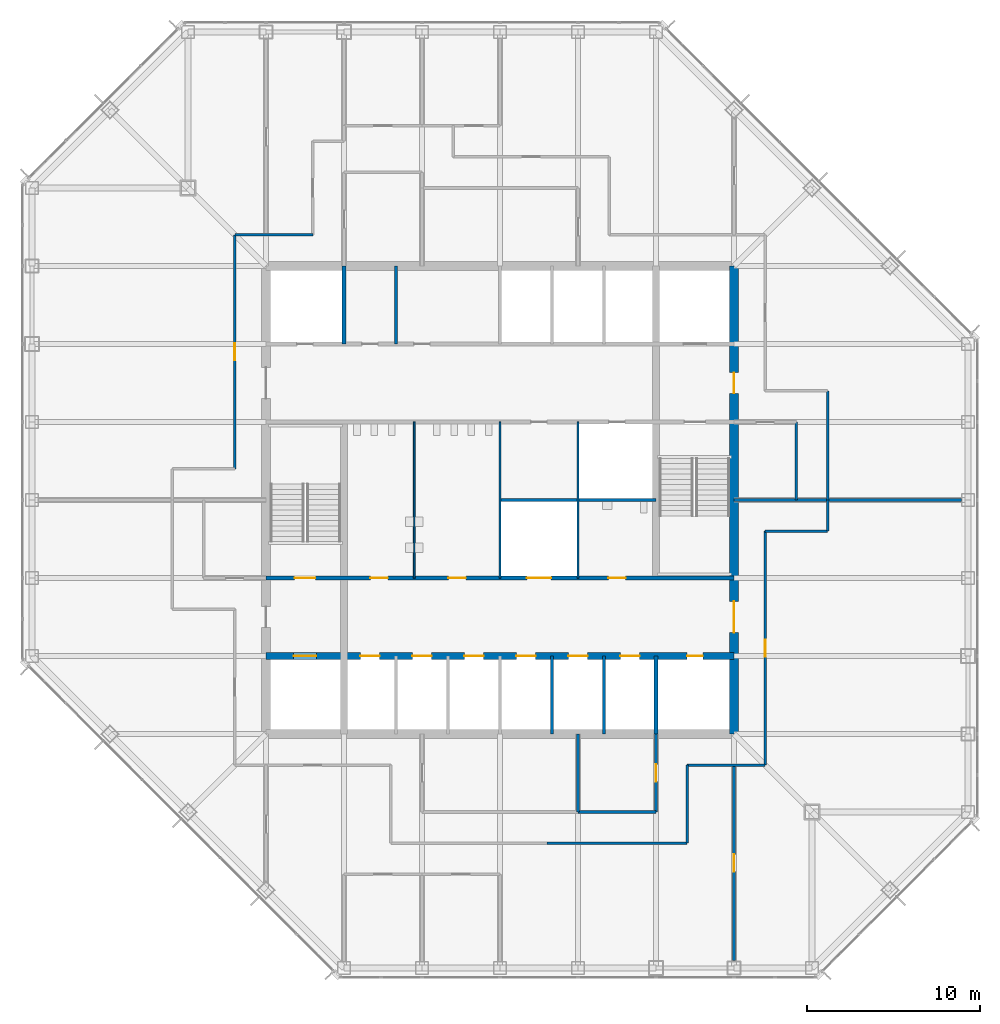
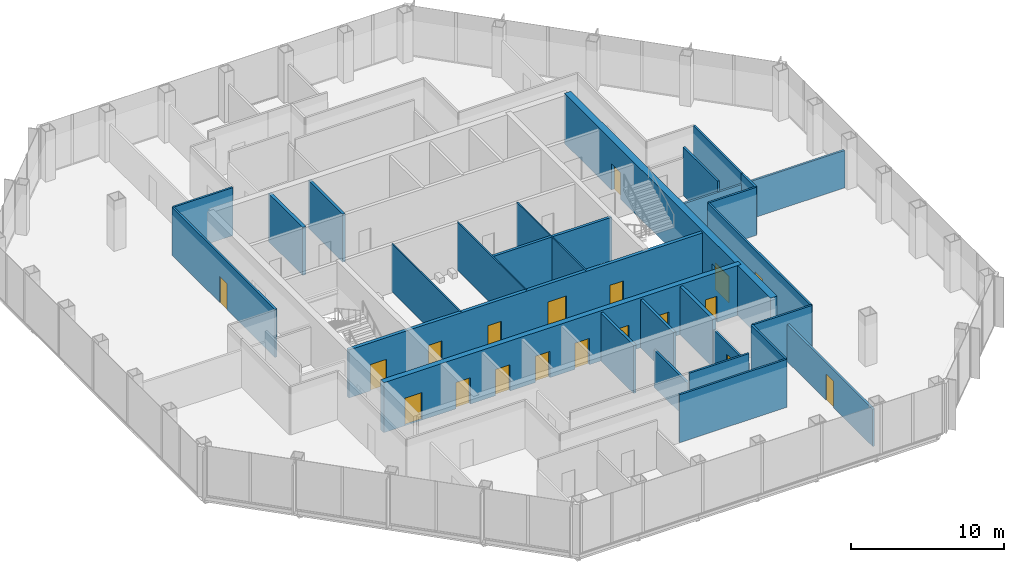
# One storey, part 9 of 13: 27 walls, 19 doors, 19 openings.
"""IFC4 building model written with IfcOpenShell, lengths in metres."""

from ifc_helpers import new_model, si_unit, direction, frame, frame_2d, origin, place, context, subcontext, project, spatial, rectangle, extrude, material, layer, layer_set, type_object, element, fill, save


model = new_model("IFC4")

# Units and contexts
model_context = context("Model", 3, precision=1e-05, world=origin(), true_north=direction((0.0, 1.0)))
body_context = subcontext(model_context, "Body", "Model", "MODEL_VIEW")
ifc_project = project(units=[si_unit("LENGTHUNIT", "METRE"), si_unit("AREAUNIT", "SQUARE_METRE"), si_unit("VOLUMEUNIT", "CUBIC_METRE"), si_unit("PLANEANGLEUNIT", "RADIAN"), si_unit("MASSUNIT", "GRAM", prefix="KILO")], contexts=[model_context])

# Site, building, storey
site_placement = place(None, origin())
site = spatial("IfcSite", under=ifc_project, at=site_placement, CompositionType="ELEMENT")
building_placement = place(site_placement, origin())
building = spatial("IfcBuilding", under=site, at=building_placement, Name="Corais Broadcast Tower", CompositionType="ELEMENT")
storey_placement = place(building_placement, frame((0.0, 0.0, 119.60009765625)))
storey = spatial("IfcBuildingStorey", under=building, at=storey_placement, Name="L26", CompositionType="ELEMENT", Elevation=119.60009765625)

# Walls
ifc_material_1 = material(Name="Concrete blockwork class A, grouted, two-hour", Category="masonry")
ifc_layer_1 = layer(ifc_material_1, 0.25)
ifc_layer_set_1 = layer_set([ifc_layer_1], Name="Concrete blockwork class A, grouted, two-hour")
wall_type_1 = type_object("IfcWallType", Name="Core lobby wall 250", PredefinedType="SOLIDWALL", material=ifc_layer_set_1)
for number, where, z_axis, x_axis, name in (
    (1, (18.0, 36.0, 0.0), (0.0, 0.0, 1.0), (0.0, 1.0, 0.0), "CL2 core shaft wall X18B L26"),
    (2, (36.0, 13.5, 0.0), (0.0, 0.0, 1.0), (0.0, 1.0, 0.0), "CL2 core shaft wall X36A L26"),
):
    element("IfcWall", number, at=place(storey_placement, frame(where, z_axis=z_axis, x_axis=x_axis)), inside=storey, type_object=wall_type_1, Name=name, PredefinedType="SOLIDWALL", context=body_context, shape_type="SweptSolid", body=[
        extrude(rectangle(XDim=4.5, YDim=0.25, at=frame_2d((2.25, 0.0))), origin(), (0.0, 0.0, 1.0), 3.83984375),
    ])

# Wall, openings, doors
wall_1_placement = place(storey_placement, frame((13.5, 22.5, 0.0), z_axis=(0.0, 0.0, 1.0), x_axis=(1.0, 0.0, 0.0)))
wall_1 = element("IfcWall", 3, at=wall_1_placement, inside=storey, type_object=wall_type_1, Name="CL2 core lobby wall Y225 L26", PredefinedType="SOLIDWALL", context=body_context, shape_type="SweptSolid", body=[
    extrude(rectangle(XDim=27.0, YDim=0.25, at=frame_2d((13.5, 0.0))), origin(), (0.0, 0.0, 1.0), 3.83984375),
])
opening_1_placement = place(wall_1_placement, frame((1.64990234375, 0.0, 0.0)))
opening_1 = element("IfcOpeningElement", 4, at=opening_1_placement, cuts=wall_1, Name="Opening FD1", PredefinedType="OPENING", context=body_context, shape_type="SweptSolid", body=[
    extrude(rectangle(XDim=1.199951171875, YDim=2.10009765625, at=frame_2d((0.60009765625, 1.050048828125))), frame((0.0, 0.135009765625, 0.0), z_axis=(0.0, -1.0, 0.0), x_axis=(1.0, 0.0, 0.0)), (0.0, 0.0, 1.0), 0.27001953125),
])
opening_2_placement = place(wall_1_placement, frame((6.02490234375, 0.0, 0.0)))
opening_2 = element("IfcOpeningElement", 5, at=opening_2_placement, cuts=wall_1, Name="Opening WD1", PredefinedType="OPENING", context=body_context, shape_type="SweptSolid", body=[
    extrude(rectangle(XDim=1.0, YDim=2.10009765625, at=frame_2d((0.5, 1.050048828125))), frame((0.0, 0.135009765625, 0.0), z_axis=(0.0, -1.0, 0.0), x_axis=(1.0, 0.0, 0.0)), (0.0, 0.0, 1.0), 0.27001953125),
])
opening_3_placement = place(wall_1_placement, frame((10.52490234375, 0.0, 0.0)))
opening_3 = element("IfcOpeningElement", 6, at=opening_3_placement, cuts=wall_1, Name="Opening WD1", PredefinedType="OPENING", context=body_context, shape_type="SweptSolid", body=[
    extrude(rectangle(XDim=1.0, YDim=2.10009765625, at=frame_2d((0.5, 1.050048828125))), frame((0.0, 0.135009765625, 0.0), z_axis=(0.0, -1.0, 0.0), x_axis=(1.0, 0.0, 0.0)), (0.0, 0.0, 1.0), 0.27001953125),
])
opening_4_placement = place(wall_1_placement, frame((19.75, 0.0, 0.0)))
opening_4 = element("IfcOpeningElement", 7, at=opening_4_placement, cuts=wall_1, Name="Opening WD1", PredefinedType="OPENING", context=body_context, shape_type="SweptSolid", body=[
    extrude(rectangle(XDim=1.0, YDim=2.10009765625, at=frame_2d((0.5, 1.050048828125))), frame((0.0, 0.135009765625, 0.0), z_axis=(0.0, -1.0, 0.0), x_axis=(1.0, 0.0, 0.0)), (0.0, 0.0, 1.0), 0.27001953125),
])
opening_5_placement = place(wall_1_placement, frame((15.050048828125, 0.0, 0.0)))
opening_5 = element("IfcOpeningElement", 8, at=opening_5_placement, cuts=wall_1, Name="Opening LD3", PredefinedType="OPENING", context=body_context, shape_type="SweptSolid", body=[
    extrude(rectangle(XDim=1.39990234375, YDim=2.39990234375, at=frame_2d((0.699951171875, 1.199951171875))), frame((0.0, 0.135009765625, 0.0), z_axis=(0.0, -1.0, 0.0), x_axis=(1.0, 0.0, 0.0)), (0.0, 0.0, 1.0), 0.27001953125),
])
ifc_material_2 = material(Name="Steel fire door", Category="steel")
door_type_1 = type_object("IfcDoorType", Name="Fire door 1200x2100", OperationType="SINGLE_SWING_LEFT", PredefinedType="DOOR", material=ifc_material_2)
door_1_placement = place(opening_1_placement, origin())
door_1 = element("IfcDoor", 9, at=door_1_placement, inside=storey, type_object=door_type_1, Name="FD1 stair A door L26", OperationType="SINGLE_SWING_LEFT", OverallHeight=2.10009765625, OverallWidth=1.199951171875, PredefinedType="DOOR", context=body_context, shape_type="SweptSolid", body=[
    extrude(rectangle(XDim=1.199951171875, YDim=2.10009765625, at=frame_2d((0.60009765625, 1.050048828125))), frame((0.0, 0.02490234375, 0.0), z_axis=(0.0, -1.0, 0.0), x_axis=(1.0, 0.0, 0.0)), (0.0, 0.0, 1.0), 0.050048828125),
])
fill(opening_1, door_1)
ifc_material_3 = material(Name="Stainless steel lift door", Category="steel")
door_type_2 = type_object("IfcDoorType", Name="Service lift landing door 1400x2400", OperationType="SLIDING_TO_LEFT", PredefinedType="DOOR", material=ifc_material_3)
door_2_placement = place(opening_5_placement, origin())
door_2 = element("IfcDoor", 10, at=door_2_placement, inside=storey, type_object=door_type_2, Name="LD3 SL1 landing door L26", OperationType="SLIDING_TO_LEFT", OverallHeight=2.39990234375, OverallWidth=1.39990234375, PredefinedType="DOOR", context=body_context, shape_type="SweptSolid", body=[
    extrude(rectangle(XDim=1.39990234375, YDim=2.39990234375, at=frame_2d((0.699951171875, 1.199951171875))), frame((0.0, 0.02490234375, 0.0), z_axis=(0.0, -1.0, 0.0), x_axis=(1.0, 0.0, 0.0)), (0.0, 0.0, 1.0), 0.050048828125),
])
fill(opening_5, door_2)
ifc_material_4 = material(Name="Timber door", Category="wood")
door_type_3 = type_object("IfcDoorType", Name="Toilet door 1000x2100", OperationType="SINGLE_SWING_LEFT", PredefinedType="DOOR", material=ifc_material_4)
door_3_placement = place(opening_2_placement, origin())
door_3 = element("IfcDoor", 11, at=door_3_placement, inside=storey, type_object=door_type_3, Name="WD1 WC male door L26", OperationType="SINGLE_SWING_LEFT", OverallHeight=2.10009765625, OverallWidth=1.0, PredefinedType="DOOR", context=body_context, shape_type="SweptSolid", body=[
    extrude(rectangle(XDim=1.0, YDim=2.10009765625, at=frame_2d((0.5, 1.050048828125))), frame((0.0, 0.02490234375, 0.0), z_axis=(0.0, -1.0, 0.0), x_axis=(1.0, 0.0, 0.0)), (0.0, 0.0, 1.0), 0.050048828125),
])
fill(opening_2, door_3)
door_4_placement = place(opening_3_placement, origin())
door_4 = element("IfcDoor", 12, at=door_4_placement, inside=storey, type_object=door_type_3, Name="WD1 WC female door L26", OperationType="SINGLE_SWING_LEFT", OverallHeight=2.10009765625, OverallWidth=1.0, PredefinedType="DOOR", context=body_context, shape_type="SweptSolid", body=[
    extrude(rectangle(XDim=1.0, YDim=2.10009765625, at=frame_2d((0.5, 1.050048828125))), frame((0.0, 0.02490234375, 0.0), z_axis=(0.0, -1.0, 0.0), x_axis=(1.0, 0.0, 0.0)), (0.0, 0.0, 1.0), 0.050048828125),
])
fill(opening_3, door_4)
door_5_placement = place(opening_4_placement, origin())
door_5 = element("IfcDoor", 13, at=door_5_placement, inside=storey, type_object=door_type_3, Name="WD1 accessible WC door L26", OperationType="SINGLE_SWING_RIGHT", OverallHeight=2.10009765625, OverallWidth=1.0, PredefinedType="DOOR", context=body_context, shape_type="SweptSolid", body=[
    extrude(rectangle(XDim=1.0, YDim=2.10009765625, at=frame_2d((0.5, 1.050048828125))), frame((0.0, 0.02490234375, 0.0), z_axis=(0.0, -1.0, 0.0), x_axis=(1.0, 0.0, 0.0)), (0.0, 0.0, 1.0), 0.050048828125),
])
fill(opening_4, door_5)

ifc_material_5 = material(Name="Concrete C50/60", Category="concrete")
ifc_layer_2 = layer(ifc_material_5, 0.39990234375)
ifc_layer_set_2 = layer_set([ifc_layer_2], Name="Concrete C50/60")
wall_type_2 = type_object("IfcWallType", Name="Core wall 400", PredefinedType="SHEAR", material=ifc_layer_set_2)
wall_2_placement = place(storey_placement, frame((13.5, 18.0, 0.0), z_axis=(0.0, 0.0, 1.0), x_axis=(1.0, 0.0, 0.0)))
wall_2 = element("IfcWall", 14, at=wall_2_placement, inside=storey, type_object=wall_type_2, Name="CR400 core wall Y18 L26", PredefinedType="SHEAR", context=body_context, shape_type="SweptSolid", body=[
    extrude(rectangle(XDim=27.0, YDim=0.39990234375, at=frame_2d((13.5, 0.0))), origin(), (0.0, 0.0, 1.0), 4.0),
])
opening_6_placement = place(wall_2_placement, frame((24.300048828125, 0.0, 0.0)))
opening_6 = element("IfcOpeningElement", 15, at=opening_6_placement, cuts=wall_2, Name="Opening RD1", PredefinedType="OPENING", context=body_context, shape_type="SweptSolid", body=[
    extrude(rectangle(XDim=0.89990234375, YDim=2.10009765625, at=frame_2d((0.449951171875, 1.050048828125))), frame((0.0, 0.2099609375, 0.0), z_axis=(0.0, -1.0, 0.0), x_axis=(1.0, 0.0, 0.0)), (0.0, 0.0, 1.0), 0.419921875),
])
opening_7_placement = place(wall_2_placement, frame((5.449951171875, 0.0, 0.0)))
opening_7 = element("IfcOpeningElement", 16, at=opening_7_placement, cuts=wall_2, Name="Opening LD1", PredefinedType="OPENING", context=body_context, shape_type="SweptSolid", body=[
    extrude(rectangle(XDim=1.10009765625, YDim=2.10009765625, at=frame_2d((0.550048828125, 1.050048828125))), frame((0.0, 0.2099609375, 0.0), z_axis=(0.0, -1.0, 0.0), x_axis=(1.0, 0.0, 0.0)), (0.0, 0.0, 1.0), 0.419921875),
])
opening_8_placement = place(wall_2_placement, frame((8.449951171875, 0.0, 0.0)))
opening_8 = element("IfcOpeningElement", 17, at=opening_8_placement, cuts=wall_2, Name="Opening LD1", PredefinedType="OPENING", context=body_context, shape_type="SweptSolid", body=[
    extrude(rectangle(XDim=1.10009765625, YDim=2.10009765625, at=frame_2d((0.550048828125, 1.050048828125))), frame((0.0, 0.2099609375, 0.0), z_axis=(0.0, -1.0, 0.0), x_axis=(1.0, 0.0, 0.0)), (0.0, 0.0, 1.0), 0.419921875),
])
opening_9_placement = place(wall_2_placement, frame((11.449951171875, 0.0, 0.0)))
opening_9 = element("IfcOpeningElement", 18, at=opening_9_placement, cuts=wall_2, Name="Opening LD1", PredefinedType="OPENING", context=body_context, shape_type="SweptSolid", body=[
    extrude(rectangle(XDim=1.10009765625, YDim=2.10009765625, at=frame_2d((0.550048828125, 1.050048828125))), frame((0.0, 0.2099609375, 0.0), z_axis=(0.0, -1.0, 0.0), x_axis=(1.0, 0.0, 0.0)), (0.0, 0.0, 1.0), 0.419921875),
])
opening_10_placement = place(wall_2_placement, frame((14.449951171875, 0.0, 0.0)))
opening_10 = element("IfcOpeningElement", 19, at=opening_10_placement, cuts=wall_2, Name="Opening LD1", PredefinedType="OPENING", context=body_context, shape_type="SweptSolid", body=[
    extrude(rectangle(XDim=1.10009765625, YDim=2.10009765625, at=frame_2d((0.550048828125, 1.050048828125))), frame((0.0, 0.2099609375, 0.0), z_axis=(0.0, -1.0, 0.0), x_axis=(1.0, 0.0, 0.0)), (0.0, 0.0, 1.0), 0.419921875),
])
opening_11_placement = place(wall_2_placement, frame((17.449951171875, 0.0, 0.0)))
opening_11 = element("IfcOpeningElement", 20, at=opening_11_placement, cuts=wall_2, Name="Opening LD1", PredefinedType="OPENING", context=body_context, shape_type="SweptSolid", body=[
    extrude(rectangle(XDim=1.10009765625, YDim=2.10009765625, at=frame_2d((0.550048828125, 1.050048828125))), frame((0.0, 0.2099609375, 0.0), z_axis=(0.0, -1.0, 0.0), x_axis=(1.0, 0.0, 0.0)), (0.0, 0.0, 1.0), 0.419921875),
])
opening_12_placement = place(wall_2_placement, frame((20.449951171875, 0.0, 0.0)))
opening_12 = element("IfcOpeningElement", 21, at=opening_12_placement, cuts=wall_2, Name="Opening LD1", PredefinedType="OPENING", context=body_context, shape_type="SweptSolid", body=[
    extrude(rectangle(XDim=1.10009765625, YDim=2.10009765625, at=frame_2d((0.550048828125, 1.050048828125))), frame((0.0, 0.2099609375, 0.0), z_axis=(0.0, -1.0, 0.0), x_axis=(1.0, 0.0, 0.0)), (0.0, 0.0, 1.0), 0.419921875),
])
opening_13_placement = place(wall_2_placement, frame((1.60009765625, 0.0, 0.0)))
opening_13 = element("IfcOpeningElement", 22, at=opening_13_placement, cuts=wall_2, Name="Opening LD2", PredefinedType="OPENING", context=body_context, shape_type="SweptSolid", body=[
    extrude(rectangle(XDim=1.300048828125, YDim=2.199951171875, at=frame_2d((0.64990234375, 1.10009765625))), frame((0.0, 0.2099609375, 0.0), z_axis=(0.0, -1.0, 0.0), x_axis=(1.0, 0.0, 0.0)), (0.0, 0.0, 1.0), 0.419921875),
])
ifc_material_6 = material(Name="Stainless steel lift door", Category="steel")
door_type_4 = type_object("IfcDoorType", Name="Lift landing door 1100x2100", OperationType="SLIDING_TO_LEFT", PredefinedType="DOOR", material=ifc_material_6)
door_6_placement = place(opening_7_placement, origin())
door_6 = element("IfcDoor", 23, at=door_6_placement, inside=storey, type_object=door_type_4, Name="LD1 PM1 landing door L26", OperationType="SLIDING_TO_LEFT", OverallHeight=2.10009765625, OverallWidth=1.10009765625, PredefinedType="DOOR", context=body_context, shape_type="SweptSolid", body=[
    extrude(rectangle(XDim=1.10009765625, YDim=2.10009765625, at=frame_2d((0.550048828125, 1.050048828125))), frame((0.0, 0.02490234375, 0.0), z_axis=(0.0, -1.0, 0.0), x_axis=(1.0, 0.0, 0.0)), (0.0, 0.0, 1.0), 0.050048828125),
])
fill(opening_7, door_6)
door_7_placement = place(opening_8_placement, origin())
door_7 = element("IfcDoor", 24, at=door_7_placement, inside=storey, type_object=door_type_4, Name="LD1 PM2 landing door L26", OperationType="SLIDING_TO_LEFT", OverallHeight=2.10009765625, OverallWidth=1.10009765625, PredefinedType="DOOR", context=body_context, shape_type="SweptSolid", body=[
    extrude(rectangle(XDim=1.10009765625, YDim=2.10009765625, at=frame_2d((0.550048828125, 1.050048828125))), frame((0.0, 0.02490234375, 0.0), z_axis=(0.0, -1.0, 0.0), x_axis=(1.0, 0.0, 0.0)), (0.0, 0.0, 1.0), 0.050048828125),
])
fill(opening_8, door_7)
door_8_placement = place(opening_9_placement, origin())
door_8 = element("IfcDoor", 25, at=door_8_placement, inside=storey, type_object=door_type_4, Name="LD1 PM3 landing door L26", OperationType="SLIDING_TO_LEFT", OverallHeight=2.10009765625, OverallWidth=1.10009765625, PredefinedType="DOOR", context=body_context, shape_type="SweptSolid", body=[
    extrude(rectangle(XDim=1.10009765625, YDim=2.10009765625, at=frame_2d((0.550048828125, 1.050048828125))), frame((0.0, 0.02490234375, 0.0), z_axis=(0.0, -1.0, 0.0), x_axis=(1.0, 0.0, 0.0)), (0.0, 0.0, 1.0), 0.050048828125),
])
fill(opening_9, door_8)
door_9_placement = place(opening_10_placement, origin())
door_9 = element("IfcDoor", 26, at=door_9_placement, inside=storey, type_object=door_type_4, Name="LD1 PM4 landing door L26", OperationType="SLIDING_TO_LEFT", OverallHeight=2.10009765625, OverallWidth=1.10009765625, PredefinedType="DOOR", context=body_context, shape_type="SweptSolid", body=[
    extrude(rectangle(XDim=1.10009765625, YDim=2.10009765625, at=frame_2d((0.550048828125, 1.050048828125))), frame((0.0, 0.02490234375, 0.0), z_axis=(0.0, -1.0, 0.0), x_axis=(1.0, 0.0, 0.0)), (0.0, 0.0, 1.0), 0.050048828125),
])
fill(opening_10, door_9)
door_10_placement = place(opening_11_placement, origin())
door_10 = element("IfcDoor", 27, at=door_10_placement, inside=storey, type_object=door_type_4, Name="LD1 PM5 landing door L26", OperationType="SLIDING_TO_LEFT", OverallHeight=2.10009765625, OverallWidth=1.10009765625, PredefinedType="DOOR", context=body_context, shape_type="SweptSolid", body=[
    extrude(rectangle(XDim=1.10009765625, YDim=2.10009765625, at=frame_2d((0.550048828125, 1.050048828125))), frame((0.0, 0.02490234375, 0.0), z_axis=(0.0, -1.0, 0.0), x_axis=(1.0, 0.0, 0.0)), (0.0, 0.0, 1.0), 0.050048828125),
])
fill(opening_11, door_10)
door_11_placement = place(opening_12_placement, origin())
door_11 = element("IfcDoor", 28, at=door_11_placement, inside=storey, type_object=door_type_4, Name="LD1 PM6 landing door L26", OperationType="SLIDING_TO_LEFT", OverallHeight=2.10009765625, OverallWidth=1.10009765625, PredefinedType="DOOR", context=body_context, shape_type="SweptSolid", body=[
    extrude(rectangle(XDim=1.10009765625, YDim=2.10009765625, at=frame_2d((0.550048828125, 1.050048828125))), frame((0.0, 0.02490234375, 0.0), z_axis=(0.0, -1.0, 0.0), x_axis=(1.0, 0.0, 0.0)), (0.0, 0.0, 1.0), 0.050048828125),
])
fill(opening_12, door_11)
ifc_material_7 = material(Name="Stainless steel lift door", Category="steel")
door_type_5 = type_object("IfcDoorType", Name="Lift landing door 1300x2200", OperationType="SLIDING_TO_LEFT", PredefinedType="DOOR", material=ifc_material_7)
door_12_placement = place(opening_13_placement, origin())
door_12 = element("IfcDoor", 29, at=door_12_placement, inside=storey, type_object=door_type_5, Name="LD2 FL1 landing door L26", OperationType="SLIDING_TO_LEFT", OverallHeight=2.199951171875, OverallWidth=1.300048828125, PredefinedType="DOOR", context=body_context, shape_type="SweptSolid", body=[
    extrude(rectangle(XDim=1.300048828125, YDim=2.199951171875, at=frame_2d((0.64990234375, 1.10009765625))), frame((0.0, 0.02490234375, 0.0), z_axis=(0.0, -1.0, 0.0), x_axis=(1.0, 0.0, 0.0)), (0.0, 0.0, 1.0), 0.050048828125),
])
fill(opening_13, door_12)
ifc_material_8 = material(Name="Steel fire door", Category="steel")
door_type_6 = type_object("IfcDoorType", Name="Riser door 900x2100", OperationType="SINGLE_SWING_LEFT", PredefinedType="DOOR", material=ifc_material_8)
door_13_placement = place(opening_6_placement, origin())
door_13 = element("IfcDoor", 30, at=door_13_placement, inside=storey, type_object=door_type_6, Name="RD1 riser door L26", OperationType="SINGLE_SWING_RIGHT", OverallHeight=2.10009765625, OverallWidth=0.89990234375, PredefinedType="DOOR", context=body_context, shape_type="SweptSolid", body=[
    extrude(rectangle(XDim=0.89990234375, YDim=2.10009765625, at=frame_2d((0.449951171875, 1.050048828125))), frame((0.0, 0.02490234375, 0.0), z_axis=(0.0, -1.0, 0.0), x_axis=(1.0, 0.0, 0.0)), (0.0, 0.0, 1.0), 0.050048828125),
])
fill(opening_6, door_13)

ifc_material_9 = material(Name="Concrete C50/60", Category="concrete")
ifc_layer_3 = layer(ifc_material_9, 0.5)
ifc_layer_set_3 = layer_set([ifc_layer_3], Name="Concrete C50/60")
wall_type_3 = type_object("IfcWallType", Name="Core wall 500", PredefinedType="SHEAR", material=ifc_layer_set_3)
wall_3_placement = place(storey_placement, frame((40.5, 13.5, 0.0), z_axis=(0.0, 0.0, 1.0), x_axis=(0.0, 1.0, 0.0)))
wall_3 = element("IfcWall", 31, at=wall_3_placement, inside=storey, type_object=wall_type_3, Name="CR500 core wall E L26", PredefinedType="SHEAR", context=body_context, shape_type="SweptSolid", body=[
    extrude(rectangle(XDim=27.0, YDim=0.5, at=frame_2d((13.5, 0.0))), origin(), (0.0, 0.0, 1.0), 4.0),
])
opening_14_placement = place(wall_3_placement, frame((5.85009765625, 0.0, 0.0)))
opening_14 = element("IfcOpeningElement", 32, at=opening_14_placement, cuts=wall_3, Name="Opening FD2", PredefinedType="OPENING", context=body_context, shape_type="SweptSolid", body=[
    extrude(rectangle(XDim=1.800048828125, YDim=2.10009765625, at=frame_2d((0.89990234375, 1.050048828125))), frame((0.0, 0.260009765625, 0.0), z_axis=(0.0, -1.0, 0.0), x_axis=(1.0, 0.0, 0.0)), (0.0, 0.0, 1.0), 0.52001953125),
])
opening_15_placement = place(wall_3_placement, frame((19.64990234375, 0.0, 0.0)))
opening_15 = element("IfcOpeningElement", 33, at=opening_15_placement, cuts=wall_3, Name="Opening FD1", PredefinedType="OPENING", context=body_context, shape_type="SweptSolid", body=[
    extrude(rectangle(XDim=1.199951171875, YDim=2.10009765625, at=frame_2d((0.60009765625, 1.050048828125))), frame((0.0, 0.260009765625, 0.0), z_axis=(0.0, -1.0, 0.0), x_axis=(1.0, 0.0, 0.0)), (0.0, 0.0, 1.0), 0.52001953125),
])
door_14_placement = place(opening_15_placement, origin())
door_14 = element("IfcDoor", 34, at=door_14_placement, inside=storey, type_object=door_type_1, Name="FD1 fire lobby B door L26", OperationType="SINGLE_SWING_RIGHT", OverallHeight=2.10009765625, OverallWidth=1.199951171875, PredefinedType="DOOR", context=body_context, shape_type="SweptSolid", body=[
    extrude(rectangle(XDim=1.199951171875, YDim=2.10009765625, at=frame_2d((0.60009765625, 1.050048828125))), frame((0.0, 0.02490234375, 0.0), z_axis=(0.0, -1.0, 0.0), x_axis=(1.0, 0.0, 0.0)), (0.0, 0.0, 1.0), 0.050048828125),
])
fill(opening_15, door_14)
ifc_material_10 = material(Name="Steel fire door", Category="steel")
door_type_7 = type_object("IfcDoorType", Name="Fire door pair 1800x2100", OperationType="DOUBLE_DOOR_SINGLE_SWING", PredefinedType="DOOR", material=ifc_material_10)
door_15_placement = place(opening_14_placement, origin())
door_15 = element("IfcDoor", 35, at=door_15_placement, inside=storey, type_object=door_type_7, Name="FD2 lift lobby door L26", OperationType="SINGLE_SWING_LEFT", OverallHeight=2.10009765625, OverallWidth=1.800048828125, PredefinedType="DOOR", context=body_context, shape_type="SweptSolid", body=[
    extrude(rectangle(XDim=1.800048828125, YDim=2.10009765625, at=frame_2d((0.89990234375, 1.050048828125))), frame((0.0, 0.02490234375, 0.0), z_axis=(0.0, -1.0, 0.0), x_axis=(1.0, 0.0, 0.0)), (0.0, 0.0, 1.0), 0.050048828125),
])
fill(opening_14, door_15)

# Wall
ifc_material_11 = material(Name="Two layers of fire-rated gypsum board each side on steel studs", Category="steel")
ifc_layer_4 = layer(ifc_material_11, 0.14990234375)
ifc_layer_set_4 = layer_set([ifc_layer_4], Name="Two layers of fire-rated gypsum board each side on steel studs")
wall_type_4 = type_object("IfcWallType", Name="Fire-rated partition 150 EI 60", PredefinedType="PARTITIONING", material=ifc_layer_set_4)
wall_4_placement = place(storey_placement, frame((40.5, 27.0, 0.0), z_axis=(0.0, 0.0, 1.0), x_axis=(1.0, 0.0, 0.0)))
element("IfcWall", 36, at=wall_4_placement, inside=storey, type_object=wall_type_4, Name="IW7 tenancy wall L26", PredefinedType="PARTITIONING", context=body_context, shape_type="SweptSolid", body=[
    extrude(rectangle(XDim=13.114990234375, YDim=0.14990234375, at=frame_2d((6.5576171875, 0.0))), origin(), (0.0, 0.0, 1.0), 2.989013671875),
])

# Wall, opening, door
ifc_material_12 = material(Name="Gypsum board on steel studs", Category="steel")
ifc_layer_5 = layer(ifc_material_12, 0.14990234375)
ifc_layer_set_5 = layer_set([ifc_layer_5], Name="Gypsum board on steel studs")
wall_type_5 = type_object("IfcWallType", Name="Partition 150", PredefinedType="PARTITIONING", material=ifc_layer_set_5)
wall_5_placement = place(storey_placement, frame((42.300048828125, 11.699951171875, 0.0), z_axis=(0.0, 0.0, 1.0), x_axis=(0.0, 1.0, 0.0)))
wall_5 = element("IfcWall", 37, at=wall_5_placement, inside=storey, type_object=wall_type_5, Name="IW3 corridor wall L26", PredefinedType="PARTITIONING", context=body_context, shape_type="SweptSolid", body=[
    extrude(rectangle(XDim=13.5, YDim=0.14990234375, at=frame_2d((6.75, 0.0))), origin(), (0.0, 0.0, 1.0), 3.83984375),
])
opening_16_placement = place(wall_5_placement, frame((6.25, 0.0, 0.0)))
opening_16 = element("IfcOpeningElement", 38, at=opening_16_placement, cuts=wall_5, Name="Opening D1", PredefinedType="OPENING", context=body_context, shape_type="SweptSolid", body=[
    extrude(rectangle(XDim=1.0, YDim=2.10009765625, at=frame_2d((0.5, 1.050048828125))), frame((0.0, 0.0849609375, 0.0), z_axis=(0.0, -1.0, 0.0), x_axis=(1.0, 0.0, 0.0)), (0.0, 0.0, 1.0), 0.169921875),
])
ifc_material_13 = material(Name="Timber door", Category="wood")
door_type_8 = type_object("IfcDoorType", Name="Single door 1000x2100", OperationType="SINGLE_SWING_LEFT", PredefinedType="DOOR", material=ifc_material_13)
door_16_placement = place(opening_16_placement, origin())
door_16 = element("IfcDoor", 39, at=door_16_placement, inside=storey, type_object=door_type_8, Name="D1 workplace door L26", OperationType="SINGLE_SWING_LEFT", OverallHeight=2.10009765625, OverallWidth=1.0, PredefinedType="DOOR", context=body_context, shape_type="SweptSolid", body=[
    extrude(rectangle(XDim=1.0, YDim=2.10009765625, at=frame_2d((0.5, 1.050048828125))), frame((0.0, 0.02490234375, 0.0), z_axis=(0.0, -1.0, 0.0), x_axis=(1.0, 0.0, 0.0)), (0.0, 0.0, 1.0), 0.050048828125),
])
fill(opening_16, door_16)

# Walls
wall_6_placement = place(storey_placement, frame((29.699951171875, 7.199951171875, 0.0), z_axis=(0.0, 0.0, 1.0), x_axis=(1.0, 0.0, 0.0)))
element("IfcWall", 40, at=wall_6_placement, inside=storey, type_object=wall_type_5, Name="IW3 corridor wall L26", PredefinedType="PARTITIONING", context=body_context, shape_type="SweptSolid", body=[
    extrude(rectangle(XDim=8.10009765625, YDim=0.14990234375, at=frame_2d((4.050048828125, 0.0))), origin(), (0.0, 0.0, 1.0), 3.83984375),
])
for number, where, z_axis, x_axis, name in (
    (41, (37.800048828125, 7.199951171875, 0.0), (0.0, 0.0, 1.0), (0.0, 1.0, 0.0), "IW3 corridor wall L26"),
    (42, (37.800048828125, 11.699951171875, 0.0), (0.0, 0.0, 1.0), (1.0, 0.0, 0.0), "IW3 corridor wall L26"),
):
    element("IfcWall", number, at=place(storey_placement, frame(where, z_axis=z_axis, x_axis=x_axis)), inside=storey, type_object=wall_type_5, Name=name, PredefinedType="PARTITIONING", context=body_context, shape_type="SweptSolid", body=[
        extrude(rectangle(XDim=4.5, YDim=0.14990234375, at=frame_2d((2.25, 0.0))), origin(), (0.0, 0.0, 1.0), 3.83984375),
    ])
wall_7_placement = place(storey_placement, frame((42.300048828125, 25.199951171875, 0.0), z_axis=(0.0, 0.0, 1.0), x_axis=(1.0, 0.0, 0.0)))
element("IfcWall", 43, at=wall_7_placement, inside=storey, type_object=wall_type_5, Name="IW3 corridor wall L26", PredefinedType="PARTITIONING", context=body_context, shape_type="SweptSolid", body=[
    extrude(rectangle(XDim=3.599853515625, YDim=0.14990234375, at=frame_2d((1.7998046875, 0.0))), origin(), (0.0, 0.0, 1.0), 3.83984375),
])
wall_8_placement = place(storey_placement, frame((45.89990234375, 25.199951171875, 0.0), z_axis=(0.0, 0.0, 1.0), x_axis=(0.0, 1.0, 0.0)))
element("IfcWall", 44, at=wall_8_placement, inside=storey, type_object=wall_type_5, Name="IW3 corridor wall L26", PredefinedType="PARTITIONING", context=body_context, shape_type="SweptSolid", body=[
    extrude(rectangle(XDim=1.799560546875, YDim=0.14990234375, at=frame_2d((0.89990234375, 0.0))), origin(), (0.0, 0.0, 1.0), 3.83984375),
])

# Wall, opening, door
wall_9_placement = place(storey_placement, frame((11.699951171875, 42.300048828125, 0.0), z_axis=(0.0, 0.0, 1.0), x_axis=(0.0, -1.0, 0.0)))
wall_9 = element("IfcWall", 45, at=wall_9_placement, inside=storey, type_object=wall_type_5, Name="IW3 corridor wall L26", PredefinedType="PARTITIONING", context=body_context, shape_type="SweptSolid", body=[
    extrude(rectangle(XDim=13.5, YDim=0.14990234375, at=frame_2d((6.75, 0.0))), origin(), (0.0, 0.0, 1.0), 3.83984375),
])
opening_17_placement = place(wall_9_placement, frame((6.25, 0.0, 0.0)))
opening_17 = element("IfcOpeningElement", 46, at=opening_17_placement, cuts=wall_9, Name="Opening D1", PredefinedType="OPENING", context=body_context, shape_type="SweptSolid", body=[
    extrude(rectangle(XDim=1.0, YDim=2.10009765625, at=frame_2d((0.5, 1.050048828125))), frame((0.0, 0.0849609375, 0.0), z_axis=(0.0, -1.0, 0.0), x_axis=(1.0, 0.0, 0.0)), (0.0, 0.0, 1.0), 0.169921875),
])
door_17_placement = place(opening_17_placement, origin())
door_17 = element("IfcDoor", 47, at=door_17_placement, inside=storey, type_object=door_type_8, Name="D1 workplace door L26", OperationType="SINGLE_SWING_LEFT", OverallHeight=2.10009765625, OverallWidth=1.0, PredefinedType="DOOR", context=body_context, shape_type="SweptSolid", body=[
    extrude(rectangle(XDim=1.0, YDim=2.10009765625, at=frame_2d((0.5, 1.050048828125))), frame((0.0, 0.02490234375, 0.0), z_axis=(0.0, -1.0, 0.0), x_axis=(1.0, 0.0, 0.0)), (0.0, 0.0, 1.0), 0.050048828125),
])
fill(opening_17, door_17)

# Walls
wall_10_placement = place(storey_placement, frame((16.199951171875, 42.300048828125, 0.0), z_axis=(0.0, 0.0, 1.0), x_axis=(-1.0, 0.0, 0.0)))
element("IfcWall", 48, at=wall_10_placement, inside=storey, type_object=wall_type_5, Name="IW3 corridor wall L26", PredefinedType="PARTITIONING", context=body_context, shape_type="SweptSolid", body=[
    extrude(rectangle(XDim=4.5, YDim=0.14990234375, at=frame_2d((2.25, 0.0))), origin(), (0.0, 0.0, 1.0), 3.83984375),
])
wall_11_placement = place(storey_placement, frame((45.89990234375, 27.00048828125, 0.0), z_axis=(0.0, 0.0, 1.0), x_axis=(0.0, 1.0, 0.0)))
element("IfcWall", 49, at=wall_11_placement, inside=storey, type_object=wall_type_5, Name="IW3 corridor wall L26", PredefinedType="PARTITIONING", context=body_context, shape_type="SweptSolid", body=[
    extrude(rectangle(XDim=6.299560546875, YDim=0.14990234375, at=frame_2d((3.14990234375, 0.0))), origin(), (0.0, 0.0, 1.0), 3.83984375),
])
wall_12_placement = place(storey_placement, frame((31.5, 9.0, 0.0), z_axis=(0.0, 0.0, 1.0), x_axis=(0.0, 1.0, 0.0)))
element("IfcWall", 50, at=wall_12_placement, inside=storey, type_object=wall_type_5, Name="IW3 partition L26", PredefinedType="PARTITIONING", context=body_context, shape_type="SweptSolid", body=[
    extrude(rectangle(XDim=4.5, YDim=0.14990234375, at=frame_2d((2.25, 0.0))), origin(), (0.0, 0.0, 1.0), 2.989013671875),
])
for number, where, z_axis, x_axis, name in (
    (51, (44.10009765625, 27.0, 0.0), (0.0, 0.0, 1.0), (0.0, 1.0, 0.0), "IW3 partition L26"),
    (52, (31.5, 9.0, 0.0), (0.0, 0.0, 1.0), (1.0, 0.0, 0.0), "IW3 partition L26"),
):
    element("IfcWall", number, at=place(storey_placement, frame(where, z_axis=z_axis, x_axis=x_axis)), inside=storey, type_object=wall_type_5, Name=name, PredefinedType="PARTITIONING", context=body_context, shape_type="SweptSolid", body=[
        extrude(rectangle(XDim=4.5, YDim=0.14990234375, at=frame_2d((2.25, 0.0))), origin(), (0.0, 0.0, 1.0), 3.83984375),
    ])

# Wall, opening, door
wall_13_placement = place(storey_placement, frame((36.0, 9.0, 0.0), z_axis=(0.0, 0.0, 1.0), x_axis=(0.0, 1.0, 0.0)))
wall_13 = element("IfcWall", 53, at=wall_13_placement, inside=storey, type_object=wall_type_5, Name="IW3 partition L26", PredefinedType="PARTITIONING", context=body_context, shape_type="SweptSolid", body=[
    extrude(rectangle(XDim=4.5, YDim=0.14990234375, at=frame_2d((2.25, 0.0))), origin(), (0.0, 0.0, 1.0), 2.989013671875),
])
opening_18_placement = place(wall_13_placement, frame((1.75, 0.0, 0.0)))
opening_18 = element("IfcOpeningElement", 54, at=opening_18_placement, cuts=wall_13, Name="Opening D1", PredefinedType="OPENING", context=body_context, shape_type="SweptSolid", body=[
    extrude(rectangle(XDim=1.0, YDim=2.10009765625, at=frame_2d((0.5, 1.050048828125))), frame((0.0, 0.0849609375, 0.0), z_axis=(0.0, -1.0, 0.0), x_axis=(1.0, 0.0, 0.0)), (0.0, 0.0, 1.0), 0.169921875),
])
door_18_placement = place(opening_18_placement, origin())
door_18 = element("IfcDoor", 55, at=door_18_placement, inside=storey, type_object=door_type_8, Name="D1 Meeting room door", OperationType="SINGLE_SWING_LEFT", OverallHeight=2.10009765625, OverallWidth=1.0, PredefinedType="DOOR", context=body_context, shape_type="SweptSolid", body=[
    extrude(rectangle(XDim=1.0, YDim=2.10009765625, at=frame_2d((0.5, 1.050048828125))), frame((0.0, 0.02490234375, 0.0), z_axis=(0.0, -1.0, 0.0), x_axis=(1.0, 0.0, 0.0)), (0.0, 0.0, 1.0), 0.050048828125),
])
fill(opening_18, door_18)

wall_14_placement = place(storey_placement, frame((40.5, 0.419921875, 0.0), z_axis=(0.0, 0.0, 1.0), x_axis=(0.0, 1.0, 0.0)))
wall_14 = element("IfcWall", 56, at=wall_14_placement, inside=storey, type_object=wall_type_5, Name="IW3 partition L26", PredefinedType="PARTITIONING", context=body_context, shape_type="SweptSolid", body=[
    extrude(rectangle(XDim=11.280029296875, YDim=0.14990234375, at=frame_2d((5.64013671875, 0.0))), origin(), (0.0, 0.0, 1.0), 2.989013671875),
])
opening_19_placement = place(wall_14_placement, frame((5.139892578125, 0.0, 0.0)))
opening_19 = element("IfcOpeningElement", 57, at=opening_19_placement, cuts=wall_14, Name="Opening D1", PredefinedType="OPENING", context=body_context, shape_type="SweptSolid", body=[
    extrude(rectangle(XDim=1.0, YDim=2.10009765625, at=frame_2d((0.5, 1.050048828125))), frame((0.0, 0.0849609375, 0.0), z_axis=(0.0, -1.0, 0.0), x_axis=(1.0, 0.0, 0.0)), (0.0, 0.0, 1.0), 0.169921875),
])
door_19_placement = place(opening_19_placement, origin())
door_19 = element("IfcDoor", 58, at=door_19_placement, inside=storey, type_object=door_type_8, Name="D1 team room door L26", OperationType="SINGLE_SWING_LEFT", OverallHeight=2.10009765625, OverallWidth=1.0, PredefinedType="DOOR", context=body_context, shape_type="SweptSolid", body=[
    extrude(rectangle(XDim=1.0, YDim=2.10009765625, at=frame_2d((0.5, 1.050048828125))), frame((0.0, 0.02490234375, 0.0), z_axis=(0.0, -1.0, 0.0), x_axis=(1.0, 0.0, 0.0)), (0.0, 0.0, 1.0), 0.050048828125),
])
fill(opening_19, door_19)

# Walls
ifc_material_14 = material(Name="Concrete blockwork class A, grouted, two-hour", Category="masonry")
ifc_layer_6 = layer(ifc_material_14, 0.199951171875)
ifc_layer_set_6 = layer_set([ifc_layer_6], Name="Concrete blockwork class A, grouted, two-hour")
wall_type_6 = type_object("IfcWallType", Name="Shaft wall 200", PredefinedType="PARTITIONING", material=ifc_layer_set_6)
for number, where, z_axis, x_axis, name in (
    (59, (21.0, 36.0, 0.0), (0.0, 0.0, 1.0), (0.0, 1.0, 0.0), "IW1 shaft wall L26"),
    (60, (30.0, 13.5, 0.0), (0.0, 0.0, 1.0), (0.0, 1.0, 0.0), "IW1 shaft wall L26"),
    (61, (33.0, 13.5, 0.0), (0.0, 0.0, 1.0), (0.0, 1.0, 0.0), "IW1 shaft wall L26"),
):
    element("IfcWall", number, at=place(storey_placement, frame(where, z_axis=z_axis, x_axis=x_axis)), inside=storey, type_object=wall_type_6, Name=name, PredefinedType="PARTITIONING", context=body_context, shape_type="SweptSolid", body=[
        extrude(rectangle(XDim=4.5, YDim=0.199951171875, at=frame_2d((2.25, 0.0))), origin(), (0.0, 0.0, 1.0), 3.83984375),
    ])
wall_15_placement = place(storey_placement, frame((27.0, 27.0, 0.0), z_axis=(0.0, 0.0, 1.0), x_axis=(1.0, 0.0, 0.0)))
element("IfcWall", 62, at=wall_15_placement, inside=storey, type_object=wall_type_6, Name="IW1 shaft wall L26", PredefinedType="PARTITIONING", context=body_context, shape_type="SweptSolid", body=[
    extrude(rectangle(XDim=9.0, YDim=0.199951171875, at=frame_2d((4.5, 0.0))), origin(), (0.0, 0.0, 1.0), 3.83984375),
])
ifc_material_15 = material(Name="Dense concrete blockwork class A, tiled both faces", Category="masonry")
ifc_layer_7 = layer(ifc_material_15, 0.10009765625)
ifc_layer_set_7 = layer_set([ifc_layer_7], Name="Dense concrete blockwork class A, tiled both faces")
wall_type_7 = type_object("IfcWallType", Name="Toilet wall 100", PredefinedType="PLUMBINGWALL", material=ifc_layer_set_7)
for number, where, z_axis, x_axis, name in (
    (63, (22.050048828125, 22.5, 0.0), (0.0, 0.0, 1.0), (0.0, 1.0, 0.0), "IW2 toilet wall L26"),
    (64, (27.0, 22.5, 0.0), (0.0, 0.0, 1.0), (0.0, 1.0, 0.0), "IW2 toilet wall L26"),
    (65, (31.5, 22.5, 0.0), (0.0, 0.0, 1.0), (0.0, 1.0, 0.0), "IW2 toilet wall L26"),
):
    element("IfcWall", number, at=place(storey_placement, frame(where, z_axis=z_axis, x_axis=x_axis)), inside=storey, type_object=wall_type_7, Name=name, PredefinedType="PLUMBINGWALL", context=body_context, shape_type="SweptSolid", body=[
        extrude(rectangle(XDim=9.0, YDim=0.10009765625, at=frame_2d((4.5, 0.0))), origin(), (0.0, 0.0, 1.0), 3.83984375),
    ])

save(model, "model.ifc")
